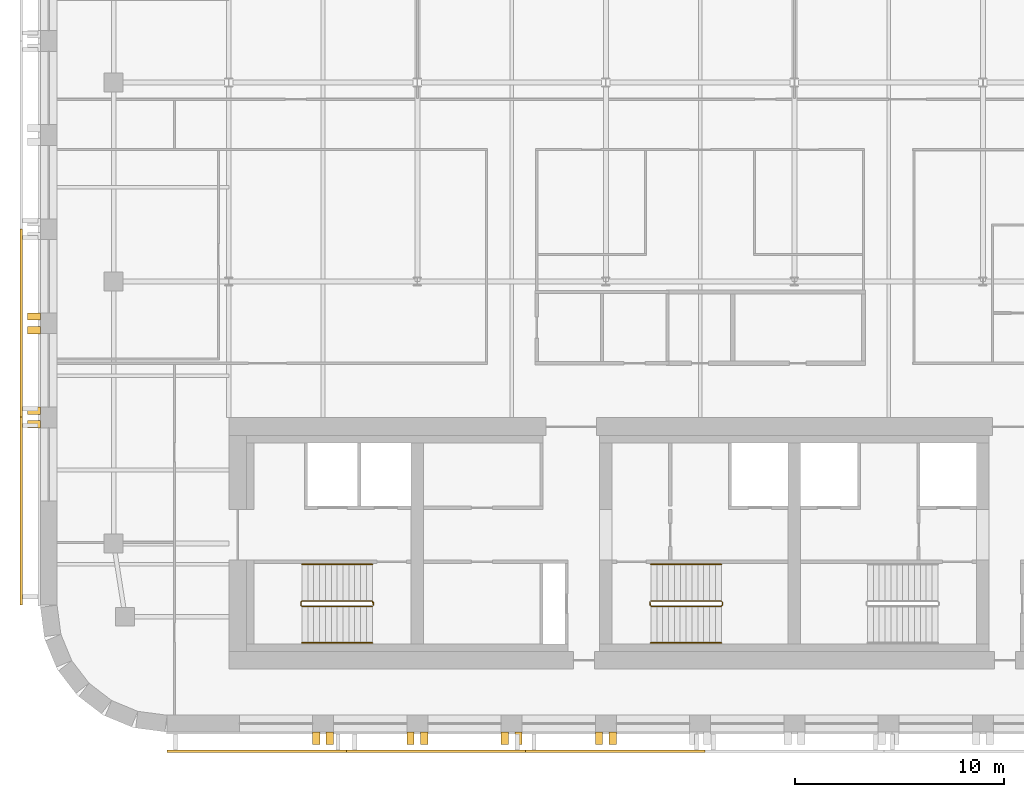
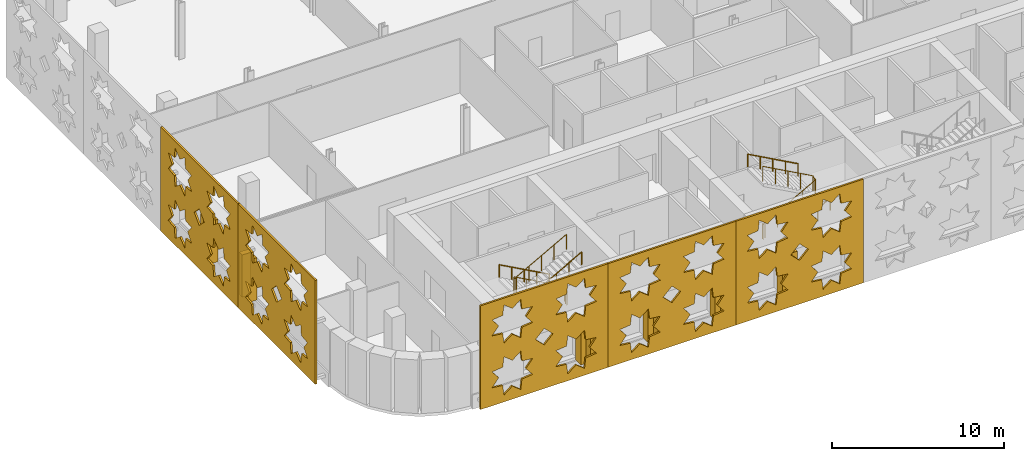
# One storey, part 9 of 12: 17 coverings, 6 railings.
"""IFC4 building model written with IfcOpenShell, lengths in metres."""

from ifc_helpers import new_model, si_unit, direction, frame, origin, origin_2d, place, context, subcontext, project, spatial, polyline, circle, outline, extrude, material, layer, layer_set, type_object, element, save


model = new_model("IFC4")

# Units and contexts
model_context = context("Model", 3, precision=1e-05, world=origin(), true_north=direction((0.0, 1.0)))
body_context = subcontext(model_context, "Body", "Model", "MODEL_VIEW")
ifc_project = project(units=[si_unit("LENGTHUNIT", "METRE"), si_unit("AREAUNIT", "SQUARE_METRE"), si_unit("VOLUMEUNIT", "CUBIC_METRE"), si_unit("PLANEANGLEUNIT", "RADIAN"), si_unit("MASSUNIT", "GRAM", prefix="KILO")], contexts=[model_context])

# Site, building, storey
site_placement = place(None, origin())
site = spatial("IfcSite", under=ifc_project, at=site_placement, CompositionType="ELEMENT")
building_placement = place(site_placement, origin())
building = spatial("IfcBuilding", under=site, at=building_placement, Name="Zellij Exchange Tower", CompositionType="ELEMENT")
storey_placement = place(building_placement, frame((0.0, 0.0, 204.5)))
storey = spatial("IfcBuildingStorey", under=building, at=storey_placement, Name="L47", CompositionType="ELEMENT", Elevation=204.5)

# Railings
ifc_material_1 = material(Name="Stainless steel", Category="steel")
railing_type_1 = type_object("IfcRailingType", Name="CORE-RG stair guard", PredefinedType="GUARDRAIL", material=ifc_material_1)
railing_1_placement = place(storey_placement, frame((-20.10009765625, -10.800048828125, 0.0)))
element("IfcRailing", 1, at=railing_1_placement, inside=storey, type_object=railing_type_1, Name="ST1 stair guard L47", PredefinedType="GUARDRAIL", context=body_context, shape_type="SweptSolid", body=[
    extrude(circle(Radius=0.02392578125, at=origin_2d()), frame((0.0, 0.0, 1.076171875), z_axis=(0.0, -1.0, 0.0), x_axis=(1.0, 0.0, 0.0)), (0.0, 0.0, 1.0), 0.14990234375),
    extrude(circle(Radius=0.02392578125, at=origin_2d()), frame((0.0, -0.14990234375, 1.076171875), z_axis=(-0.193691321961, 0.777613689637, 0.598164376644), x_axis=(-0.970351222016, -0.241699205484, 0.0)), (0.0, 0.0, 1.0), 0.257080078125),
    extrude(circle(Radius=0.02392578125, at=origin_2d()), frame((-0.0498046875, 0.050048828125, 1.22998046875), z_axis=(-0.876421534553, 0.0, 0.481544695509), x_axis=(0.0, -1.0, 0.0)), (0.0, 0.0, 1.0), 3.833984375),
    extrude(circle(Radius=0.02392578125, at=origin_2d()), frame((-3.409912109375, 0.050048828125, 3.076171875), z_axis=(-0.707106781187, -0.707106781187, 0.0), x_axis=(0.707106781187, -0.707106781187, 0.0)), (0.0, 0.0, 1.0), 0.07080078125),
    extrude(circle(Radius=0.02392578125, at=origin_2d()), frame((-3.4599609375, 0.0, 3.076171875), z_axis=(0.0, -1.0, 0.0), x_axis=(1.0, 0.0, 0.0)), (0.0, 0.0, 1.0), 0.14990234375),
    extrude(circle(Radius=0.02392578125, at=origin_2d()), frame((-3.4599609375, -0.14990234375, 3.076171875), z_axis=(0.295599637079, -0.295599637079, 0.908428152975), x_axis=(0.707106781187, 0.707106781187, 0.0)), (0.0, 0.0, 1.0), 0.16943359375),
    extrude(circle(Radius=0.02392578125, at=origin_2d()), frame((-3.409912109375, -0.199951171875, 3.22998046875), z_axis=(0.876421534553, 0.0, 0.481544695509), x_axis=(0.0, 1.0, 0.0)), (0.0, 0.0, 1.0), 3.833984375),
    extrude(circle(Radius=0.02099609375, at=origin_2d()), origin(), (0.0, 0.0, 1.0), 1.052001953125),
    extrude(circle(Radius=0.02099609375, at=origin_2d()), frame((0.0, -0.14990234375, 0.0)), (0.0, 0.0, 1.0), 1.052001953125),
    extrude(circle(Radius=0.02099609375, at=origin_2d()), frame((-0.0498046875, 0.050048828125, 0.15380859375)), (0.0, 0.0, 1.0), 1.052001953125),
    extrude(circle(Radius=0.02099609375, at=origin_2d()), frame((-0.889892578125, 0.050048828125, 0.615234375)), (0.0, 0.0, 1.0), 1.052001953125),
    extrude(circle(Radius=0.02099609375, at=origin_2d()), frame((-1.72998046875, 0.050048828125, 1.076904296875)), (0.0, 0.0, 1.0), 1.052001953125),
    extrude(circle(Radius=0.02099609375, at=origin_2d()), frame((-2.56982421875, 0.050048828125, 1.53857421875)), (0.0, 0.0, 1.0), 1.052001953125),
    extrude(circle(Radius=0.02099609375, at=origin_2d()), frame((-3.409912109375, 0.050048828125, 2.0)), (0.0, 0.0, 1.0), 1.052001953125),
    extrude(circle(Radius=0.02099609375, at=origin_2d()), frame((-3.4599609375, 0.0, 2.0)), (0.0, 0.0, 1.0), 1.052001953125),
    extrude(circle(Radius=0.02099609375, at=origin_2d()), frame((-3.4599609375, -0.14990234375, 2.0)), (0.0, 0.0, 1.0), 1.052001953125),
    extrude(circle(Radius=0.02099609375, at=origin_2d()), frame((-3.409912109375, -0.199951171875, 2.15380859375)), (0.0, 0.0, 1.0), 1.052001953125),
    extrude(circle(Radius=0.02099609375, at=origin_2d()), frame((-2.56982421875, -0.199951171875, 2.615234375)), (0.0, 0.0, 1.0), 1.052001953125),
    extrude(circle(Radius=0.02099609375, at=origin_2d()), frame((-1.72998046875, -0.199951171875, 3.076904296875)), (0.0, 0.0, 1.0), 1.052001953125),
    extrude(circle(Radius=0.02099609375, at=origin_2d()), frame((-0.889892578125, -0.199951171875, 3.53857421875)), (0.0, 0.0, 1.0), 1.052001953125),
    extrude(circle(Radius=0.02099609375, at=origin_2d()), frame((-0.0498046875, -0.199951171875, 4.0)), (0.0, 0.0, 1.0), 1.052001953125),
])
railing_2_placement = place(storey_placement, frame((-6.89990234375, -10.949951171875, 0.0)))
element("IfcRailing", 2, at=railing_2_placement, inside=storey, type_object=railing_type_1, Name="ST2 stair guard L47", PredefinedType="GUARDRAIL", context=body_context, shape_type="SweptSolid", body=[
    extrude(circle(Radius=0.02392578125, at=origin_2d()), frame((0.0, 0.0, 1.076171875), z_axis=(0.0, 1.0, 0.0), x_axis=(-1.0, 0.0, 0.0)), (0.0, 0.0, 1.0), 0.14990234375),
    extrude(circle(Radius=0.02392578125, at=origin_2d()), frame((0.0, 0.14990234375, 1.076171875), z_axis=(0.193691321961, -0.777613689637, 0.598164376644), x_axis=(0.970351222016, 0.241699205484, 0.0)), (0.0, 0.0, 1.0), 0.257080078125),
    extrude(circle(Radius=0.02392578125, at=origin_2d()), frame((0.0498046875, -0.050048828125, 1.22998046875), z_axis=(0.876421534553, 0.0, 0.481544695509), x_axis=(0.0, 1.0, 0.0)), (0.0, 0.0, 1.0), 3.833984375),
    extrude(circle(Radius=0.02392578125, at=origin_2d()), frame((3.409912109375, -0.050048828125, 3.076171875), z_axis=(0.707106781187, 0.707106781187, 0.0), x_axis=(-0.707106781187, 0.707106781187, 0.0)), (0.0, 0.0, 1.0), 0.07080078125),
    extrude(circle(Radius=0.02392578125, at=origin_2d()), frame((3.4599609375, 0.0, 3.076171875), z_axis=(0.0, 1.0, 0.0), x_axis=(-1.0, 0.0, 0.0)), (0.0, 0.0, 1.0), 0.14990234375),
    extrude(circle(Radius=0.02392578125, at=origin_2d()), frame((3.4599609375, 0.14990234375, 3.076171875), z_axis=(-0.295599637079, 0.295599637079, 0.908428152975), x_axis=(-0.707106781187, -0.707106781187, 0.0)), (0.0, 0.0, 1.0), 0.16943359375),
    extrude(circle(Radius=0.02392578125, at=origin_2d()), frame((3.409912109375, 0.199951171875, 3.22998046875), z_axis=(-0.876421534553, 0.0, 0.481544695509), x_axis=(0.0, -1.0, 0.0)), (0.0, 0.0, 1.0), 3.833984375),
    extrude(circle(Radius=0.02099609375, at=origin_2d()), origin(), (0.0, 0.0, 1.0), 1.052001953125),
    extrude(circle(Radius=0.02099609375, at=origin_2d()), frame((0.0, 0.14990234375, 0.0)), (0.0, 0.0, 1.0), 1.052001953125),
    extrude(circle(Radius=0.02099609375, at=origin_2d()), frame((0.0498046875, -0.050048828125, 0.15380859375)), (0.0, 0.0, 1.0), 1.052001953125),
    extrude(circle(Radius=0.02099609375, at=origin_2d()), frame((0.889892578125, -0.050048828125, 0.615234375)), (0.0, 0.0, 1.0), 1.052001953125),
    extrude(circle(Radius=0.02099609375, at=origin_2d()), frame((1.72998046875, -0.050048828125, 1.076904296875)), (0.0, 0.0, 1.0), 1.052001953125),
    extrude(circle(Radius=0.02099609375, at=origin_2d()), frame((2.56982421875, -0.050048828125, 1.53857421875)), (0.0, 0.0, 1.0), 1.052001953125),
    extrude(circle(Radius=0.02099609375, at=origin_2d()), frame((3.409912109375, -0.050048828125, 2.0)), (0.0, 0.0, 1.0), 1.052001953125),
    extrude(circle(Radius=0.02099609375, at=origin_2d()), frame((3.4599609375, 0.0, 2.0)), (0.0, 0.0, 1.0), 1.052001953125),
    extrude(circle(Radius=0.02099609375, at=origin_2d()), frame((3.4599609375, 0.14990234375, 2.0)), (0.0, 0.0, 1.0), 1.052001953125),
    extrude(circle(Radius=0.02099609375, at=origin_2d()), frame((3.409912109375, 0.199951171875, 2.15380859375)), (0.0, 0.0, 1.0), 1.052001953125),
    extrude(circle(Radius=0.02099609375, at=origin_2d()), frame((2.56982421875, 0.199951171875, 2.615234375)), (0.0, 0.0, 1.0), 1.052001953125),
    extrude(circle(Radius=0.02099609375, at=origin_2d()), frame((1.72998046875, 0.199951171875, 3.076904296875)), (0.0, 0.0, 1.0), 1.052001953125),
    extrude(circle(Radius=0.02099609375, at=origin_2d()), frame((0.889892578125, 0.199951171875, 3.53857421875)), (0.0, 0.0, 1.0), 1.052001953125),
    extrude(circle(Radius=0.02099609375, at=origin_2d()), frame((0.0498046875, 0.199951171875, 4.0)), (0.0, 0.0, 1.0), 1.052001953125),
])
railing_type_2 = type_object("IfcRailingType", Name="CORE-RH stair handrail", PredefinedType="HANDRAIL", material=ifc_material_1)
railing_3_placement = place(storey_placement, frame((-20.14990234375, -9.0, 0.15380859375)))
element("IfcRailing", 3, at=railing_3_placement, inside=storey, type_object=railing_type_2, Name="ST1 stair handrail L47", PredefinedType="HANDRAIL", context=body_context, shape_type="SweptSolid", body=[
    extrude(circle(Radius=0.02392578125, at=origin_2d()), frame((0.0, 0.0, 0.8759765625), z_axis=(-0.876421534553, 0.0, 0.481544695509), x_axis=(0.0, -1.0, 0.0)), (0.0, 0.0, 1.0), 3.833984375),
    extrude(circle(Radius=0.02099609375, at=origin_2d()), origin(), (0.0, 0.0, 1.0), 0.851806640625),
    extrude(circle(Radius=0.02099609375, at=origin_2d()), frame((-0.840087890625, 0.0, 0.46142578125)), (0.0, 0.0, 1.0), 0.851806640625),
    extrude(circle(Radius=0.02099609375, at=origin_2d()), frame((-1.68017578125, 0.0, 0.923095703125)), (0.0, 0.0, 1.0), 0.851806640625),
    extrude(circle(Radius=0.02099609375, at=origin_2d()), frame((-2.52001953125, 0.0, 1.384765625)), (0.0, 0.0, 1.0), 0.851806640625),
    extrude(circle(Radius=0.02099609375, at=origin_2d()), frame((-3.360107421875, 0.0, 1.84619140625)), (0.0, 0.0, 1.0), 0.851806640625),
])
for number, where, name in (
    (4, (-23.510009765625, -12.75, 2.15380859375), "ST1 stair handrail L47"),
    (5, (-6.85009765625, -12.75, 0.15380859375), "ST2 stair handrail L47"),
):
    element("IfcRailing", number, at=place(storey_placement, frame(where)), inside=storey, type_object=railing_type_2, Name=name, PredefinedType="HANDRAIL", context=body_context, shape_type="SweptSolid", body=[
        extrude(circle(Radius=0.02392578125, at=origin_2d()), frame((0.0, 0.0, 0.8759765625), z_axis=(0.876421534553, 0.0, 0.481544695509), x_axis=(0.0, 1.0, 0.0)), (0.0, 0.0, 1.0), 3.833984375),
        extrude(circle(Radius=0.02099609375, at=origin_2d()), origin(), (0.0, 0.0, 1.0), 0.851806640625),
        extrude(circle(Radius=0.02099609375, at=origin_2d()), frame((0.840087890625, 0.0, 0.46142578125)), (0.0, 0.0, 1.0), 0.851806640625),
        extrude(circle(Radius=0.02099609375, at=origin_2d()), frame((1.68017578125, 0.0, 0.923095703125)), (0.0, 0.0, 1.0), 0.851806640625),
        extrude(circle(Radius=0.02099609375, at=origin_2d()), frame((2.52001953125, 0.0, 1.384765625)), (0.0, 0.0, 1.0), 0.851806640625),
        extrude(circle(Radius=0.02099609375, at=origin_2d()), frame((3.360107421875, 0.0, 1.84619140625)), (0.0, 0.0, 1.0), 0.851806640625),
    ])
railing_4_placement = place(storey_placement, frame((-3.489990234375, -9.0, 2.15380859375)))
element("IfcRailing", 6, at=railing_4_placement, inside=storey, type_object=railing_type_2, Name="ST2 stair handrail L47", PredefinedType="HANDRAIL", context=body_context, shape_type="SweptSolid", body=[
    extrude(circle(Radius=0.02392578125, at=origin_2d()), frame((0.0, 0.0, 0.8759765625), z_axis=(-0.876421534553, 0.0, 0.481544695509), x_axis=(0.0, -1.0, 0.0)), (0.0, 0.0, 1.0), 3.833984375),
    extrude(circle(Radius=0.02099609375, at=origin_2d()), origin(), (0.0, 0.0, 1.0), 0.851806640625),
    extrude(circle(Radius=0.02099609375, at=origin_2d()), frame((-0.840087890625, 0.0, 0.46142578125)), (0.0, 0.0, 1.0), 0.851806640625),
    extrude(circle(Radius=0.02099609375, at=origin_2d()), frame((-1.68017578125, 0.0, 0.923095703125)), (0.0, 0.0, 1.0), 0.851806640625),
    extrude(circle(Radius=0.02099609375, at=origin_2d()), frame((-2.52001953125, 0.0, 1.384765625)), (0.0, 0.0, 1.0), 0.851806640625),
    extrude(circle(Radius=0.02099609375, at=origin_2d()), frame((-3.360107421875, 0.0, 1.84619140625)), (0.0, 0.0, 1.0), 0.851806640625),
])

# Coverings
ifc_material_2 = material(Name="Limestone cladding", Category="masonry")
covering_type_1 = type_object("IfcCoveringType", Name="ENV-CV3 Stone pier 350x600", PredefinedType="CLADDING", material=ifc_material_2)
covering_1_placement = place(storey_placement, frame((0.0, 0.0, 0.800048828125)))
element("IfcCovering", 7, at=covering_1_placement, inside=storey, type_object=covering_type_1, Name="Stone pier", PredefinedType="CLADDING", context=body_context, shape_type="SweptSolid", body=[
    extrude(outline(polyline([(-23.0, -17.0), (-22.64990234375, -17.0), (-22.64990234375, -17.60009765625), (-23.0, -17.60009765625), (-23.0, -17.0)])), origin(), (0.0, 0.0, 1.0), 3.0),
])
covering_2_placement = place(storey_placement, frame((0.0, 0.0, 0.800048828125)))
element("IfcCovering", 8, at=covering_2_placement, inside=storey, type_object=covering_type_1, Name="Stone pier", PredefinedType="CLADDING", context=body_context, shape_type="SweptSolid", body=[
    extrude(outline(polyline([(-22.35009765625, -17.0), (-22.0, -17.0), (-22.0, -17.60009765625), (-22.35009765625, -17.60009765625), (-22.35009765625, -17.0)])), origin(), (0.0, 0.0, 1.0), 3.0),
])
covering_3_placement = place(storey_placement, frame((0.0, 0.0, 0.800048828125)))
element("IfcCovering", 9, at=covering_3_placement, inside=storey, type_object=covering_type_1, Name="Stone pier", PredefinedType="CLADDING", context=body_context, shape_type="SweptSolid", body=[
    extrude(outline(polyline([(-18.5, -17.0), (-18.14990234375, -17.0), (-18.14990234375, -17.60009765625), (-18.5, -17.60009765625), (-18.5, -17.0)])), origin(), (0.0, 0.0, 1.0), 3.0),
])
covering_4_placement = place(storey_placement, frame((0.0, 0.0, 0.800048828125)))
element("IfcCovering", 10, at=covering_4_placement, inside=storey, type_object=covering_type_1, Name="Stone pier", PredefinedType="CLADDING", context=body_context, shape_type="SweptSolid", body=[
    extrude(outline(polyline([(-17.85009765625, -17.0), (-17.5, -17.0), (-17.5, -17.60009765625), (-17.85009765625, -17.60009765625), (-17.85009765625, -17.0)])), origin(), (0.0, 0.0, 1.0), 3.0),
])
covering_5_placement = place(storey_placement, frame((0.0, 0.0, 0.800048828125)))
element("IfcCovering", 11, at=covering_5_placement, inside=storey, type_object=covering_type_1, Name="Stone pier", PredefinedType="CLADDING", context=body_context, shape_type="SweptSolid", body=[
    extrude(outline(polyline([(-14.0, -17.0), (-13.64990234375, -17.0), (-13.64990234375, -17.60009765625), (-14.0, -17.60009765625), (-14.0, -17.0)])), origin(), (0.0, 0.0, 1.0), 3.0),
])
covering_6_placement = place(storey_placement, frame((0.0, 0.0, 0.800048828125)))
element("IfcCovering", 12, at=covering_6_placement, inside=storey, type_object=covering_type_1, Name="Stone pier", PredefinedType="CLADDING", context=body_context, shape_type="SweptSolid", body=[
    extrude(outline(polyline([(-13.35009765625, -17.0), (-13.0, -17.0), (-13.0, -17.60009765625), (-13.35009765625, -17.60009765625), (-13.35009765625, -17.0)])), origin(), (0.0, 0.0, 1.0), 3.0),
])
covering_7_placement = place(storey_placement, frame((0.0, 0.0, 0.800048828125)))
element("IfcCovering", 13, at=covering_7_placement, inside=storey, type_object=covering_type_1, Name="Stone pier", PredefinedType="CLADDING", context=body_context, shape_type="SweptSolid", body=[
    extrude(outline(polyline([(-9.5, -17.0), (-9.14990234375, -17.0), (-9.14990234375, -17.60009765625), (-9.5, -17.60009765625), (-9.5, -17.0)])), origin(), (0.0, 0.0, 1.0), 3.0),
])
covering_8_placement = place(storey_placement, frame((0.0, 0.0, 0.800048828125)))
element("IfcCovering", 14, at=covering_8_placement, inside=storey, type_object=covering_type_1, Name="Stone pier", PredefinedType="CLADDING", context=body_context, shape_type="SweptSolid", body=[
    extrude(outline(polyline([(-8.85009765625, -17.0), (-8.5, -17.0), (-8.5, -17.60009765625), (-8.85009765625, -17.60009765625), (-8.85009765625, -17.0)])), origin(), (0.0, 0.0, 1.0), 3.0),
])
covering_9_placement = place(storey_placement, frame((0.0, 0.0, 0.800048828125)))
element("IfcCovering", 15, at=covering_9_placement, inside=storey, type_object=covering_type_1, Name="Stone pier", PredefinedType="CLADDING", context=body_context, shape_type="SweptSolid", body=[
    extrude(outline(polyline([(-36.0, 3.006591796875), (-36.0, 2.656494140625), (-36.60009765625, 2.656494140625), (-36.60009765625, 3.006591796875), (-36.0, 3.006591796875)])), origin(), (0.0, 0.0, 1.0), 3.0),
])
covering_10_placement = place(storey_placement, frame((0.0, 0.0, 0.800048828125)))
element("IfcCovering", 16, at=covering_10_placement, inside=storey, type_object=covering_type_1, Name="Stone pier", PredefinedType="CLADDING", context=body_context, shape_type="SweptSolid", body=[
    extrude(outline(polyline([(-36.0, 2.356689453125), (-36.0, 2.006591796875), (-36.60009765625, 2.006591796875), (-36.60009765625, 2.356689453125), (-36.0, 2.356689453125)])), origin(), (0.0, 0.0, 1.0), 3.0),
])
covering_11_placement = place(storey_placement, frame((0.0, 0.0, 0.800048828125)))
element("IfcCovering", 17, at=covering_11_placement, inside=storey, type_object=covering_type_1, Name="Stone pier", PredefinedType="CLADDING", context=body_context, shape_type="SweptSolid", body=[
    extrude(outline(polyline([(-36.0, -1.48681640625), (-36.0, -1.8369140625), (-36.60009765625, -1.8369140625), (-36.60009765625, -1.48681640625), (-36.0, -1.48681640625)])), origin(), (0.0, 0.0, 1.0), 3.0),
])
covering_12_placement = place(storey_placement, frame((0.0, 0.0, 0.800048828125)))
element("IfcCovering", 18, at=covering_12_placement, inside=storey, type_object=covering_type_1, Name="Stone pier", PredefinedType="CLADDING", context=body_context, shape_type="SweptSolid", body=[
    extrude(outline(polyline([(-36.0, -2.136962890625), (-36.0, -2.48681640625), (-36.60009765625, -2.48681640625), (-36.60009765625, -2.136962890625), (-36.0, -2.136962890625)])), origin(), (0.0, 0.0, 1.0), 3.0),
])
ifc_material_3 = material(Name="Limestone screen", Category="masonry")
ifc_layer = layer(ifc_material_3, 0.1201171875)
ifc_layer_set = layer_set([ifc_layer], Name="Limestone screen")
covering_type_2 = type_object("IfcCoveringType", Name="ENV-SC1 Pierced stone screen 120", PredefinedType="USERDEFINED", material=ifc_layer_set)
covering_13_placement = place(storey_placement, frame((-36.909912109375, 7.0, 0.300048828125), z_axis=(0.0, 0.0, 1.0), x_axis=(0.0, -1.0, 0.0)))
element("IfcCovering", 19, at=covering_13_placement, inside=storey, type_object=covering_type_2, Name="Pierced stone screen", ObjectType="SCREEN", PredefinedType="USERDEFINED", context=body_context, shape_type="SweptSolid", body=[
    extrude(outline(polyline([(0.0, 0.0), (8.973876953125, 0.0), (8.973876953125, 7.35009765625), (0.0, 7.35009765625), (0.0, 0.0)]), holes=[polyline([(3.6015625, 2.39990234375), (2.887939453125, 2.48193359375), (2.805908203125, 3.195556640625), (2.243408203125, 2.748779296875), (1.680908203125, 3.195556640625), (1.59912109375, 2.48193359375), (0.88525390625, 2.39990234375), (1.33203125, 1.83740234375), (0.88525390625, 1.27490234375), (1.59912109375, 1.193115234375), (1.680908203125, 0.4794921875), (2.243408203125, 0.926025390625), (2.805908203125, 0.4794921875), (2.887939453125, 1.193115234375), (3.6015625, 1.27490234375), (3.15478515625, 1.83740234375), (3.6015625, 2.39990234375)]), polyline([(3.6015625, 6.074951171875), (2.887939453125, 6.156982421875), (2.805908203125, 6.87060546875), (2.243408203125, 6.423828125), (1.680908203125, 6.87060546875), (1.59912109375, 6.156982421875), (0.88525390625, 6.074951171875), (1.33203125, 5.512451171875), (0.88525390625, 4.949951171875), (1.59912109375, 4.867919921875), (1.680908203125, 4.154296875), (2.243408203125, 4.60107421875), (2.805908203125, 4.154296875), (2.887939453125, 4.867919921875), (3.6015625, 4.949951171875), (3.15478515625, 5.512451171875), (3.6015625, 6.074951171875)]), polyline([(8.08837890625, 2.39990234375), (7.374755859375, 2.48193359375), (7.29296875, 3.195556640625), (6.730224609375, 2.748779296875), (6.167724609375, 3.195556640625), (6.0859375, 2.48193359375), (5.372314453125, 2.39990234375), (5.81884765625, 1.83740234375), (5.372314453125, 1.27490234375), (6.0859375, 1.193115234375), (6.167724609375, 0.4794921875), (6.730224609375, 0.926025390625), (7.29296875, 0.4794921875), (7.374755859375, 1.193115234375), (8.08837890625, 1.27490234375), (7.6416015625, 1.83740234375), (8.08837890625, 2.39990234375)]), polyline([(8.08837890625, 6.074951171875), (7.374755859375, 6.156982421875), (7.29296875, 6.87060546875), (6.730224609375, 6.423828125), (6.167724609375, 6.87060546875), (6.0859375, 6.156982421875), (5.372314453125, 6.074951171875), (5.81884765625, 5.512451171875), (5.372314453125, 4.949951171875), (6.0859375, 4.867919921875), (6.167724609375, 4.154296875), (6.730224609375, 4.60107421875), (7.29296875, 4.154296875), (7.374755859375, 4.867919921875), (8.08837890625, 4.949951171875), (7.6416015625, 5.512451171875), (8.08837890625, 6.074951171875)]), polyline([(5.074951171875, 3.675048828125), (4.48681640625, 4.262939453125), (3.89892578125, 3.675048828125), (4.48681640625, 3.0869140625), (5.074951171875, 3.675048828125)])]), frame((0.0, 0.06005859375, 0.0), z_axis=(0.0, -1.0, 0.0), x_axis=(1.0, 0.0, 0.0)), (0.0, 0.0, 1.0), 0.1201171875),
])
covering_14_placement = place(storey_placement, frame((-36.909912109375, -1.973876953125, 0.300048828125), z_axis=(0.0, 0.0, 1.0), x_axis=(0.0, -1.0, 0.0)))
element("IfcCovering", 20, at=covering_14_placement, inside=storey, type_object=covering_type_2, Name="Pierced stone screen", ObjectType="SCREEN", PredefinedType="USERDEFINED", context=body_context, shape_type="SweptSolid", body=[
    extrude(outline(polyline([(0.0, 0.0), (8.973876953125, 0.0), (8.973876953125, 7.35009765625), (0.0, 7.35009765625), (0.0, 0.0)]), holes=[polyline([(3.6015625, 2.39990234375), (2.887939453125, 2.48193359375), (2.805908203125, 3.195556640625), (2.243408203125, 2.748779296875), (1.680908203125, 3.195556640625), (1.59912109375, 2.48193359375), (0.88525390625, 2.39990234375), (1.33203125, 1.83740234375), (0.88525390625, 1.27490234375), (1.59912109375, 1.193115234375), (1.680908203125, 0.4794921875), (2.243408203125, 0.926025390625), (2.805908203125, 0.4794921875), (2.887939453125, 1.193115234375), (3.6015625, 1.27490234375), (3.15478515625, 1.83740234375), (3.6015625, 2.39990234375)]), polyline([(3.6015625, 6.074951171875), (2.887939453125, 6.156982421875), (2.805908203125, 6.87060546875), (2.243408203125, 6.423828125), (1.680908203125, 6.87060546875), (1.59912109375, 6.156982421875), (0.88525390625, 6.074951171875), (1.33203125, 5.512451171875), (0.88525390625, 4.949951171875), (1.59912109375, 4.867919921875), (1.680908203125, 4.154296875), (2.243408203125, 4.60107421875), (2.805908203125, 4.154296875), (2.887939453125, 4.867919921875), (3.6015625, 4.949951171875), (3.15478515625, 5.512451171875), (3.6015625, 6.074951171875)]), polyline([(8.08837890625, 2.39990234375), (7.374755859375, 2.48193359375), (7.29296875, 3.195556640625), (6.730224609375, 2.748779296875), (6.167724609375, 3.195556640625), (6.0859375, 2.48193359375), (5.372314453125, 2.39990234375), (5.81884765625, 1.83740234375), (5.372314453125, 1.27490234375), (6.0859375, 1.193115234375), (6.167724609375, 0.4794921875), (6.730224609375, 0.926025390625), (7.29296875, 0.4794921875), (7.374755859375, 1.193115234375), (8.08837890625, 1.27490234375), (7.6416015625, 1.83740234375), (8.08837890625, 2.39990234375)]), polyline([(8.08837890625, 6.074951171875), (7.374755859375, 6.156982421875), (7.29296875, 6.87060546875), (6.730224609375, 6.423828125), (6.167724609375, 6.87060546875), (6.0859375, 6.156982421875), (5.372314453125, 6.074951171875), (5.81884765625, 5.512451171875), (5.372314453125, 4.949951171875), (6.0859375, 4.867919921875), (6.167724609375, 4.154296875), (6.730224609375, 4.60107421875), (7.29296875, 4.154296875), (7.374755859375, 4.867919921875), (8.08837890625, 4.949951171875), (7.6416015625, 5.512451171875), (8.08837890625, 6.074951171875)]), polyline([(5.074951171875, 3.675048828125), (4.48681640625, 4.262939453125), (3.89892578125, 3.675048828125), (4.48681640625, 3.0869140625), (5.074951171875, 3.675048828125)])]), frame((0.0, 0.06005859375, 0.0), z_axis=(0.0, -1.0, 0.0), x_axis=(1.0, 0.0, 0.0)), (0.0, 0.0, 1.0), 0.1201171875),
])
covering_15_placement = place(storey_placement, frame((-29.947509765625, -17.909912109375, 0.300048828125), z_axis=(0.0, 0.0, 1.0), x_axis=(1.0, 0.0, 0.0)))
element("IfcCovering", 21, at=covering_15_placement, inside=storey, type_object=covering_type_2, Name="Pierced stone screen", ObjectType="SCREEN", PredefinedType="USERDEFINED", context=body_context, shape_type="SweptSolid", body=[
    extrude(outline(polyline([(0.0, 0.0), (8.556396484375, 0.0), (8.556396484375, 7.35009765625), (0.0, 7.35009765625), (0.0, 0.0)]), holes=[polyline([(3.497314453125, 2.39990234375), (2.78369140625, 2.48193359375), (2.70166015625, 3.195556640625), (2.13916015625, 2.748779296875), (1.57666015625, 3.195556640625), (1.49462890625, 2.48193359375), (0.781005859375, 2.39990234375), (1.227783203125, 1.83740234375), (0.781005859375, 1.27490234375), (1.49462890625, 1.193115234375), (1.57666015625, 0.4794921875), (2.13916015625, 0.926025390625), (2.70166015625, 0.4794921875), (2.78369140625, 1.193115234375), (3.497314453125, 1.27490234375), (3.050537109375, 1.83740234375), (3.497314453125, 2.39990234375)]), polyline([(3.497314453125, 6.074951171875), (2.78369140625, 6.156982421875), (2.70166015625, 6.87060546875), (2.13916015625, 6.423828125), (1.57666015625, 6.87060546875), (1.49462890625, 6.156982421875), (0.781005859375, 6.074951171875), (1.227783203125, 5.512451171875), (0.781005859375, 4.949951171875), (1.49462890625, 4.867919921875), (1.57666015625, 4.154296875), (2.13916015625, 4.60107421875), (2.70166015625, 4.154296875), (2.78369140625, 4.867919921875), (3.497314453125, 4.949951171875), (3.050537109375, 5.512451171875), (3.497314453125, 6.074951171875)]), polyline([(7.775390625, 2.39990234375), (7.061767578125, 2.48193359375), (6.97998046875, 3.195556640625), (6.417236328125, 2.748779296875), (5.854736328125, 3.195556640625), (5.77294921875, 2.48193359375), (5.05908203125, 2.39990234375), (5.505859375, 1.83740234375), (5.05908203125, 1.27490234375), (5.77294921875, 1.193115234375), (5.854736328125, 0.4794921875), (6.417236328125, 0.926025390625), (6.97998046875, 0.4794921875), (7.061767578125, 1.193115234375), (7.775390625, 1.27490234375), (7.32861328125, 1.83740234375), (7.775390625, 2.39990234375)]), polyline([(7.775390625, 6.074951171875), (7.061767578125, 6.156982421875), (6.97998046875, 6.87060546875), (6.417236328125, 6.423828125), (5.854736328125, 6.87060546875), (5.77294921875, 6.156982421875), (5.05908203125, 6.074951171875), (5.505859375, 5.512451171875), (5.05908203125, 4.949951171875), (5.77294921875, 4.867919921875), (5.854736328125, 4.154296875), (6.417236328125, 4.60107421875), (6.97998046875, 4.154296875), (7.061767578125, 4.867919921875), (7.775390625, 4.949951171875), (7.32861328125, 5.512451171875), (7.775390625, 6.074951171875)]), polyline([(4.8662109375, 3.675048828125), (4.2783203125, 4.262939453125), (3.690185546875, 3.675048828125), (4.2783203125, 3.0869140625), (4.8662109375, 3.675048828125)])]), frame((0.0, 0.06005859375, 0.0), z_axis=(0.0, -1.0, 0.0), x_axis=(1.0, 0.0, 0.0)), (0.0, 0.0, 1.0), 0.1201171875),
])
covering_16_placement = place(storey_placement, frame((-21.39111328125, -17.909912109375, 0.300048828125), z_axis=(0.0, 0.0, 1.0), x_axis=(1.0, 0.0, 0.0)))
element("IfcCovering", 22, at=covering_16_placement, inside=storey, type_object=covering_type_2, Name="Pierced stone screen", ObjectType="SCREEN", PredefinedType="USERDEFINED", context=body_context, shape_type="SweptSolid", body=[
    extrude(outline(polyline([(0.0, 0.0), (8.556396484375, 0.0), (8.556396484375, 7.35009765625), (0.0, 7.35009765625), (0.0, 0.0)]), holes=[polyline([(3.497314453125, 2.39990234375), (2.78369140625, 2.48193359375), (2.70166015625, 3.195556640625), (2.13916015625, 2.748779296875), (1.57666015625, 3.195556640625), (1.49462890625, 2.48193359375), (0.781005859375, 2.39990234375), (1.227783203125, 1.83740234375), (0.781005859375, 1.27490234375), (1.49462890625, 1.193115234375), (1.57666015625, 0.4794921875), (2.13916015625, 0.926025390625), (2.70166015625, 0.4794921875), (2.78369140625, 1.193115234375), (3.497314453125, 1.27490234375), (3.050537109375, 1.83740234375), (3.497314453125, 2.39990234375)]), polyline([(3.497314453125, 6.074951171875), (2.78369140625, 6.156982421875), (2.70166015625, 6.87060546875), (2.13916015625, 6.423828125), (1.57666015625, 6.87060546875), (1.49462890625, 6.156982421875), (0.781005859375, 6.074951171875), (1.227783203125, 5.512451171875), (0.781005859375, 4.949951171875), (1.49462890625, 4.867919921875), (1.57666015625, 4.154296875), (2.13916015625, 4.60107421875), (2.70166015625, 4.154296875), (2.78369140625, 4.867919921875), (3.497314453125, 4.949951171875), (3.050537109375, 5.512451171875), (3.497314453125, 6.074951171875)]), polyline([(7.775390625, 2.39990234375), (7.061767578125, 2.48193359375), (6.97998046875, 3.195556640625), (6.417236328125, 2.748779296875), (5.854736328125, 3.195556640625), (5.77294921875, 2.48193359375), (5.05908203125, 2.39990234375), (5.505859375, 1.83740234375), (5.05908203125, 1.27490234375), (5.77294921875, 1.193115234375), (5.854736328125, 0.4794921875), (6.417236328125, 0.926025390625), (6.97998046875, 0.4794921875), (7.061767578125, 1.193115234375), (7.775390625, 1.27490234375), (7.32861328125, 1.83740234375), (7.775390625, 2.39990234375)]), polyline([(7.775390625, 6.074951171875), (7.061767578125, 6.156982421875), (6.97998046875, 6.87060546875), (6.417236328125, 6.423828125), (5.854736328125, 6.87060546875), (5.77294921875, 6.156982421875), (5.05908203125, 6.074951171875), (5.505859375, 5.512451171875), (5.05908203125, 4.949951171875), (5.77294921875, 4.867919921875), (5.854736328125, 4.154296875), (6.417236328125, 4.60107421875), (6.97998046875, 4.154296875), (7.061767578125, 4.867919921875), (7.775390625, 4.949951171875), (7.32861328125, 5.512451171875), (7.775390625, 6.074951171875)]), polyline([(4.8662109375, 3.675048828125), (4.2783203125, 4.262939453125), (3.690185546875, 3.675048828125), (4.2783203125, 3.0869140625), (4.8662109375, 3.675048828125)])]), frame((0.0, 0.06005859375, 0.0), z_axis=(0.0, -1.0, 0.0), x_axis=(1.0, 0.0, 0.0)), (0.0, 0.0, 1.0), 0.1201171875),
])
covering_17_placement = place(storey_placement, frame((-12.834716796875, -17.909912109375, 0.300048828125), z_axis=(0.0, 0.0, 1.0), x_axis=(1.0, 0.0, 0.0)))
element("IfcCovering", 23, at=covering_17_placement, inside=storey, type_object=covering_type_2, Name="Pierced stone screen", ObjectType="SCREEN", PredefinedType="USERDEFINED", context=body_context, shape_type="SweptSolid", body=[
    extrude(outline(polyline([(0.0, 0.0), (8.556396484375, 0.0), (8.556396484375, 7.35009765625), (0.0, 7.35009765625), (0.0, 0.0)]), holes=[polyline([(3.497314453125, 2.39990234375), (2.78369140625, 2.48193359375), (2.70166015625, 3.195556640625), (2.13916015625, 2.748779296875), (1.57666015625, 3.195556640625), (1.49462890625, 2.48193359375), (0.781005859375, 2.39990234375), (1.227783203125, 1.83740234375), (0.781005859375, 1.27490234375), (1.49462890625, 1.193115234375), (1.57666015625, 0.4794921875), (2.13916015625, 0.926025390625), (2.70166015625, 0.4794921875), (2.78369140625, 1.193115234375), (3.497314453125, 1.27490234375), (3.050537109375, 1.83740234375), (3.497314453125, 2.39990234375)]), polyline([(3.497314453125, 6.074951171875), (2.78369140625, 6.156982421875), (2.70166015625, 6.87060546875), (2.13916015625, 6.423828125), (1.57666015625, 6.87060546875), (1.49462890625, 6.156982421875), (0.781005859375, 6.074951171875), (1.227783203125, 5.512451171875), (0.781005859375, 4.949951171875), (1.49462890625, 4.867919921875), (1.57666015625, 4.154296875), (2.13916015625, 4.60107421875), (2.70166015625, 4.154296875), (2.78369140625, 4.867919921875), (3.497314453125, 4.949951171875), (3.050537109375, 5.512451171875), (3.497314453125, 6.074951171875)]), polyline([(7.775390625, 2.39990234375), (7.061767578125, 2.48193359375), (6.97998046875, 3.195556640625), (6.417236328125, 2.748779296875), (5.854736328125, 3.195556640625), (5.77294921875, 2.48193359375), (5.05908203125, 2.39990234375), (5.505859375, 1.83740234375), (5.05908203125, 1.27490234375), (5.77294921875, 1.193115234375), (5.854736328125, 0.4794921875), (6.417236328125, 0.926025390625), (6.97998046875, 0.4794921875), (7.061767578125, 1.193115234375), (7.775390625, 1.27490234375), (7.32861328125, 1.83740234375), (7.775390625, 2.39990234375)]), polyline([(7.775390625, 6.074951171875), (7.061767578125, 6.156982421875), (6.97998046875, 6.87060546875), (6.417236328125, 6.423828125), (5.854736328125, 6.87060546875), (5.77294921875, 6.156982421875), (5.05908203125, 6.074951171875), (5.505859375, 5.512451171875), (5.05908203125, 4.949951171875), (5.77294921875, 4.867919921875), (5.854736328125, 4.154296875), (6.417236328125, 4.60107421875), (6.97998046875, 4.154296875), (7.061767578125, 4.867919921875), (7.775390625, 4.949951171875), (7.32861328125, 5.512451171875), (7.775390625, 6.074951171875)]), polyline([(4.8662109375, 3.675048828125), (4.2783203125, 4.262939453125), (3.690185546875, 3.675048828125), (4.2783203125, 3.0869140625), (4.8662109375, 3.675048828125)])]), frame((0.0, 0.06005859375, 0.0), z_axis=(0.0, -1.0, 0.0), x_axis=(1.0, 0.0, 0.0)), (0.0, 0.0, 1.0), 0.1201171875),
])

save(model, "model.ifc")
